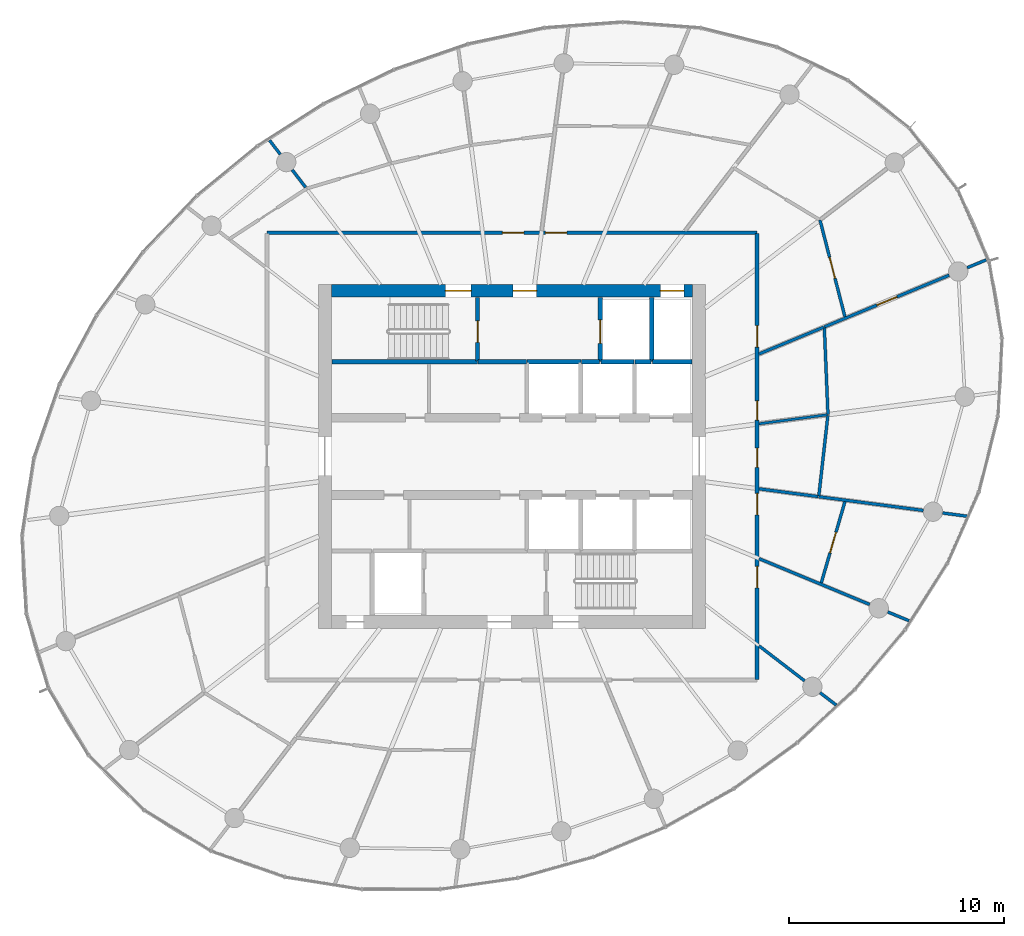
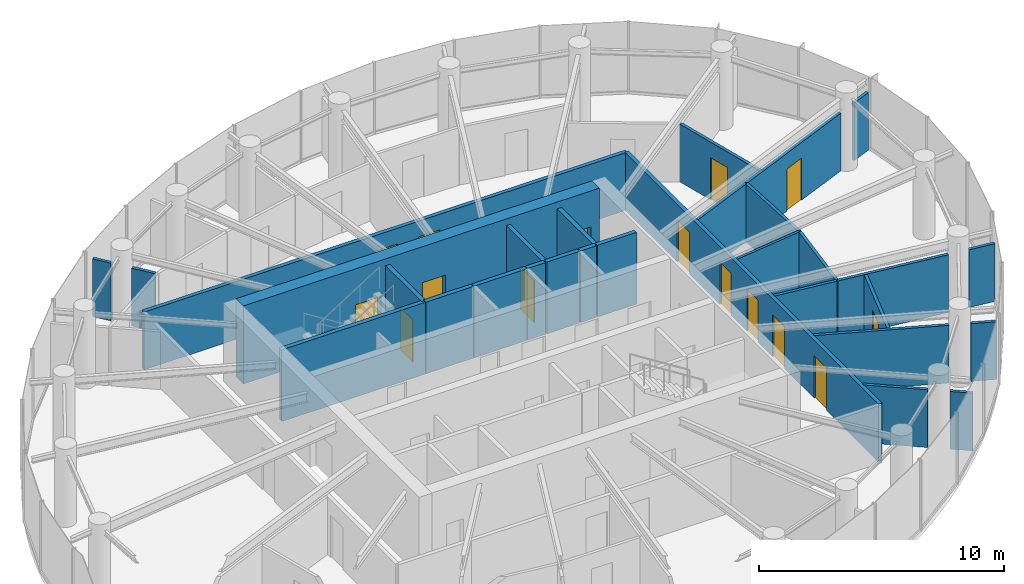
# One storey, part 11 of 14: 30 walls, 15 doors, 15 openings.
"""IFC4 building model written with IfcOpenShell, lengths in metres."""

from ifc_helpers import new_model, si_unit, direction, frame, frame_2d, origin, place, context, subcontext, project, spatial, rectangle, extrude, source, transform, mapped, material, layer, layer_set, type_object, element, fill, save


model = new_model("IFC4")

# Units and contexts
model_context = context("Model", 3, precision=1e-05, world=origin(), true_north=direction((0.0, 1.0)))
body_context = subcontext(model_context, "Body", "Model", "MODEL_VIEW")
ifc_project = project(units=[si_unit("LENGTHUNIT", "METRE"), si_unit("AREAUNIT", "SQUARE_METRE"), si_unit("VOLUMEUNIT", "CUBIC_METRE"), si_unit("PLANEANGLEUNIT", "RADIAN"), si_unit("MASSUNIT", "GRAM", prefix="KILO")], contexts=[model_context])

# Site, building, storey
site_placement = place(None, origin())
site = spatial("IfcSite", under=ifc_project, at=site_placement, CompositionType="ELEMENT")
building_placement = place(site_placement, origin())
building = spatial("IfcBuilding", under=site, at=building_placement, Name="Spindrift Exchange Tower", CompositionType="ELEMENT")
storey_placement = place(building_placement, frame((0.0, 0.0, 207.199951171875)))
storey = spatial("IfcBuildingStorey", under=building, at=storey_placement, Name="L50", CompositionType="ELEMENT", Elevation=207.199951171875)

# Wall, openings, doors
ifc_material_1 = material(Name="Concrete 50 MPa", Category="concrete")
ifc_layer_1 = layer(ifc_material_1, 0.60009765625)
ifc_layer_set_1 = layer_set([ifc_layer_1], Name="RC Core Wall 600 Concrete 50 MPa")
wall_type_1 = type_object("IfcWallType", Name="RC Core Wall 600 Concrete 50 MPa", PredefinedType="SHEAR", material=ifc_layer_set_1)
wall_1_placement = place(storey_placement, frame((60.39990234375, 55.699951171875, 0.0), z_axis=(0.0, 0.0, 1.0), x_axis=(-1.0, 0.0, 0.0)))
wall_1 = element("IfcWall", 1, at=wall_1_placement, inside=storey, type_object=wall_type_1, Name="Core wall N L50", PredefinedType="SHEAR", context=body_context, shape_type="SweptSolid", body=[
    extrude(rectangle(XDim=16.7998046875, YDim=0.60009765625, at=frame_2d((8.39990234375, 0.0))), origin(), (0.0, 0.0, 1.0), 3.900146484375),
])
opening_1_placement = place(wall_1_placement, frame((0.39990234375, 0.0, 0.0)))
opening_1 = element("IfcOpeningElement", 2, at=opening_1_placement, cuts=wall_1, Name="Opening L50-D11", PredefinedType="OPENING", context=body_context, shape_type="SweptSolid", body=[
    extrude(rectangle(XDim=1.10009765625, YDim=2.10009765625, at=frame_2d((0.550048828125, 1.050048828125))), frame((0.0, 0.31005859375, 0.0), z_axis=(0.0, -1.0, 0.0), x_axis=(1.0, 0.0, 0.0)), (0.0, 0.0, 1.0), 0.6201171875),
])
opening_2_placement = place(wall_1_placement, frame((10.300048828125, 0.0, 0.0)))
opening_2 = element("IfcOpeningElement", 3, at=opening_2_placement, cuts=wall_1, Name="Opening L50-D12", PredefinedType="OPENING", context=body_context, shape_type="SweptSolid", body=[
    extrude(rectangle(XDim=1.199951171875, YDim=2.10009765625, at=frame_2d((0.60009765625, 1.050048828125))), frame((0.0, 0.31005859375, 0.0), z_axis=(0.0, -1.0, 0.0), x_axis=(1.0, 0.0, 0.0)), (0.0, 0.0, 1.0), 0.6201171875),
])
opening_3_placement = place(wall_1_placement, frame((7.25, 0.0, 0.0)))
opening_3 = element("IfcOpeningElement", 4, at=opening_3_placement, cuts=wall_1, Name="Opening L50-D14", PredefinedType="OPENING", context=body_context, shape_type="SweptSolid", body=[
    extrude(rectangle(XDim=1.10009765625, YDim=2.10009765625, at=frame_2d((0.550048828125, 1.050048828125))), frame((0.0, 0.31005859375, 0.0), z_axis=(0.0, -1.0, 0.0), x_axis=(1.0, 0.0, 0.0)), (0.0, 0.0, 1.0), 0.6201171875),
])
ifc_material_2 = material(Name="Stainless steel landing door", Category="steel")
door_type_1 = type_object("IfcDoorType", Name="DR-LANDING-1100-SL", OperationType="DOUBLE_DOOR_SLIDING", PredefinedType="USERDEFINED", material=ifc_material_2)
shared_shape_1 = source(origin(), body_context, "Body", "SweptSolid", [
    extrude(rectangle(XDim=1.10009765625, YDim=2.10009765625, at=frame_2d((0.550048828125, 1.050048828125))), frame((0.0, 0.02490234375, 0.0), z_axis=(0.0, -1.0, 0.0), x_axis=(1.0, 0.0, 0.0)), (0.0, 0.0, 1.0), 0.050048828125),
])
door_1_placement = place(opening_1_placement, origin())
door_1 = element("IfcDoor", 5, at=door_1_placement, inside=storey, type_object=door_type_1, Name="L50 Lift landing door 11", ObjectType="LANDING DOOR", OperationType="DOUBLE_DOOR_SLIDING", OverallHeight=2.10009765625, OverallWidth=1.10009765625, PredefinedType="USERDEFINED", context=body_context, shape_type="MappedRepresentation", body=[
    mapped(shared_shape_1, transform((0.0, 0.0, 0.0), scale=1.0)),
])
fill(opening_1, door_1)
ifc_material_3 = material(Name="Steel fire door", Category="steel")
door_type_2 = type_object("IfcDoorType", Name="DR-STAIR-1200", OperationType="NOTDEFINED", PredefinedType="DOOR", material=ifc_material_3)
shared_shape_2 = source(origin(), body_context, "Body", "SweptSolid", [
    extrude(rectangle(XDim=1.199951171875, YDim=2.10009765625, at=frame_2d((0.60009765625, 1.050048828125))), frame((0.0, 0.02490234375, 0.0), z_axis=(0.0, -1.0, 0.0), x_axis=(1.0, 0.0, 0.0)), (0.0, 0.0, 1.0), 0.050048828125),
])
door_2_placement = place(opening_2_placement, origin())
door_2 = element("IfcDoor", 6, at=door_2_placement, inside=storey, type_object=door_type_2, Name="L50 Stair door 12", OperationType="SINGLE_SWING_LEFT", OverallHeight=2.10009765625, OverallWidth=1.199951171875, PredefinedType="DOOR", context=body_context, shape_type="MappedRepresentation", body=[
    mapped(shared_shape_2, transform((0.0, 0.0, 0.0), scale=1.0)),
])
fill(opening_2, door_2)
ifc_material_4 = material(Name="Timber-core fire door", Category="wood")
door_type_3 = type_object("IfcDoorType", Name="DR-LOBBY-1100", OperationType="NOTDEFINED", PredefinedType="DOOR", material=ifc_material_4)
shared_shape_3 = source(origin(), body_context, "Body", "SweptSolid", [
    extrude(rectangle(XDim=1.10009765625, YDim=2.10009765625, at=frame_2d((0.550048828125, 1.050048828125))), frame((0.0, 0.02490234375, 0.0), z_axis=(0.0, -1.0, 0.0), x_axis=(1.0, 0.0, 0.0)), (0.0, 0.0, 1.0), 0.050048828125),
])
door_3_placement = place(opening_3_placement, origin())
door_3 = element("IfcDoor", 7, at=door_3_placement, inside=storey, type_object=door_type_3, Name="L50 Lobby door 14", OperationType="SINGLE_SWING_LEFT", OverallHeight=2.10009765625, OverallWidth=1.10009765625, PredefinedType="DOOR", context=body_context, shape_type="MappedRepresentation", body=[
    mapped(shared_shape_3, transform((0.0, 0.0, 0.0), scale=1.0)),
])
fill(opening_3, door_3)

ifc_material_5 = material(Name="Fire-rated plasterboard partition", Category="gypsum")
ifc_layer_2 = layer(ifc_material_5, 0.179931640625)
ifc_layer_set_2 = layer_set([ifc_layer_2], Name="W-CORR-180")
wall_type_2 = type_object("IfcWallType", Name="W-CORR-180", PredefinedType="PARTITIONING", material=ifc_layer_set_2)
wall_2_placement = place(storey_placement, frame((40.60009765625, 58.39990234375, 0.0), z_axis=(0.0, 0.0, 1.0), x_axis=(1.0, 0.0, 0.0)))
wall_2 = element("IfcWall", 8, at=wall_2_placement, inside=storey, type_object=wall_type_2, Name="L50 Partition wall 27", PredefinedType="PARTITIONING", context=body_context, shape_type="SweptSolid", body=[
    extrude(rectangle(XDim=22.7998046875, YDim=0.179931640625, at=frame_2d((11.39990234375, 0.0))), origin(), (0.0, 0.0, 1.0), 2.880126953125),
])
opening_4_placement = place(wall_2_placement, frame((12.949951171875, 0.0, 0.0)))
opening_4 = element("IfcOpeningElement", 9, at=opening_4_placement, cuts=wall_2, Name="Opening L50-D25", PredefinedType="OPENING", context=body_context, shape_type="SweptSolid", body=[
    extrude(rectangle(XDim=1.0, YDim=2.10009765625, at=frame_2d((0.5, 1.050048828125))), frame((0.0, 0.099853515625, 0.0), z_axis=(0.0, -1.0, 0.0), x_axis=(1.0, 0.0, 0.0)), (0.0, 0.0, 1.0), 0.199951171875),
])
opening_5_placement = place(wall_2_placement, frame((10.949951171875, 0.0, 0.0)))
opening_5 = element("IfcOpeningElement", 10, at=opening_5_placement, cuts=wall_2, Name="Opening L50-D28", PredefinedType="OPENING", context=body_context, shape_type="SweptSolid", body=[
    extrude(rectangle(XDim=1.0, YDim=2.10009765625, at=frame_2d((0.5, 1.050048828125))), frame((0.0, 0.099853515625, 0.0), z_axis=(0.0, -1.0, 0.0), x_axis=(1.0, 0.0, 0.0)), (0.0, 0.0, 1.0), 0.199951171875),
])
door_type_4 = type_object("IfcDoorType", Name="DR-ROOM-1000", OperationType="NOTDEFINED", PredefinedType="DOOR", material=ifc_material_4)
shared_shape_4 = source(origin(), body_context, "Body", "SweptSolid", [
    extrude(rectangle(XDim=1.0, YDim=2.10009765625, at=frame_2d((0.5, 1.050048828125))), frame((0.0, 0.02490234375, 0.0), z_axis=(0.0, -1.0, 0.0), x_axis=(1.0, 0.0, 0.0)), (0.0, 0.0, 1.0), 0.050048828125),
])
door_4_placement = place(opening_4_placement, origin())
door_4 = element("IfcDoor", 11, at=door_4_placement, inside=storey, type_object=door_type_4, Name="L50 Door 25", OperationType="SINGLE_SWING_RIGHT", OverallHeight=2.10009765625, OverallWidth=1.0, PredefinedType="DOOR", context=body_context, shape_type="MappedRepresentation", body=[
    mapped(shared_shape_4, transform((0.0, 0.0, 0.0), scale=1.0)),
])
fill(opening_4, door_4)
door_5_placement = place(opening_5_placement, origin())
door_5 = element("IfcDoor", 12, at=door_5_placement, inside=storey, type_object=door_type_4, Name="L50 Door 28", OperationType="SINGLE_SWING_LEFT", OverallHeight=2.10009765625, OverallWidth=1.0, PredefinedType="DOOR", context=body_context, shape_type="MappedRepresentation", body=[
    mapped(shared_shape_4, transform((0.0, 0.0, 0.0), scale=1.0)),
])
fill(opening_5, door_5)

wall_3_placement = place(storey_placement, frame((63.39990234375, 58.3701171875, 0.0), z_axis=(0.0, 0.0, 1.0), x_axis=(0.0, -1.0, 0.0)))
wall_3 = element("IfcWall", 13, at=wall_3_placement, inside=storey, type_object=wall_type_2, Name="L50 Partition wall 29", PredefinedType="PARTITIONING", context=body_context, shape_type="SweptSolid", body=[
    extrude(rectangle(XDim=20.740234375, YDim=0.179931640625, at=frame_2d((10.3701171875, 0.0))), origin(), (0.0, 0.0, 1.0), 2.880126953125),
])
opening_6_placement = place(wall_3_placement, frame((9.989990234375, 0.0, 0.0)))
opening_6 = element("IfcOpeningElement", 14, at=opening_6_placement, cuts=wall_3, Name="Opening L50-D19", PredefinedType="OPENING", context=body_context, shape_type="SweptSolid", body=[
    extrude(rectangle(XDim=0.89990234375, YDim=2.10009765625, at=frame_2d((0.449951171875, 1.050048828125))), frame((0.0, 0.099853515625, 0.0), z_axis=(0.0, -1.0, 0.0), x_axis=(1.0, 0.0, 0.0)), (0.0, 0.0, 1.0), 0.199951171875),
])
opening_7_placement = place(wall_3_placement, frame((7.7900390625, 0.0, 0.0)))
opening_7 = element("IfcOpeningElement", 15, at=opening_7_placement, cuts=wall_3, Name="Opening L50-D20", PredefinedType="OPENING", context=body_context, shape_type="SweptSolid", body=[
    extrude(rectangle(XDim=0.89990234375, YDim=2.10009765625, at=frame_2d((0.449951171875, 1.050048828125))), frame((0.0, 0.099853515625, 0.0), z_axis=(0.0, -1.0, 0.0), x_axis=(1.0, 0.0, 0.0)), (0.0, 0.0, 1.0), 0.199951171875),
])
opening_8_placement = place(wall_3_placement, frame((4.2900390625, 0.0, 0.0)))
opening_8 = element("IfcOpeningElement", 16, at=opening_8_placement, cuts=wall_3, Name="Opening L50-D21", PredefinedType="OPENING", context=body_context, shape_type="SweptSolid", body=[
    extrude(rectangle(XDim=1.0, YDim=2.10009765625, at=frame_2d((0.5, 1.050048828125))), frame((0.0, 0.099853515625, 0.0), z_axis=(0.0, -1.0, 0.0), x_axis=(1.0, 0.0, 0.0)), (0.0, 0.0, 1.0), 0.199951171875),
])
opening_9_placement = place(wall_3_placement, frame((15.489990234375, 0.0, 0.0)))
opening_9 = element("IfcOpeningElement", 17, at=opening_9_placement, cuts=wall_3, Name="Opening L50-D42", PredefinedType="OPENING", context=body_context, shape_type="SweptSolid", body=[
    extrude(rectangle(XDim=1.0, YDim=2.10009765625, at=frame_2d((0.5, 1.050048828125))), frame((0.0, 0.099853515625, 0.0), z_axis=(0.0, -1.0, 0.0), x_axis=(1.0, 0.0, 0.0)), (0.0, 0.0, 1.0), 0.199951171875),
])
opening_10_placement = place(wall_3_placement, frame((12.090087890625, 0.0, 0.0)))
opening_10 = element("IfcOpeningElement", 18, at=opening_10_placement, cuts=wall_3, Name="Opening L50-D43", PredefinedType="OPENING", context=body_context, shape_type="SweptSolid", body=[
    extrude(rectangle(XDim=1.0, YDim=2.10009765625, at=frame_2d((0.5, 1.050048828125))), frame((0.0, 0.099853515625, 0.0), z_axis=(0.0, -1.0, 0.0), x_axis=(1.0, 0.0, 0.0)), (0.0, 0.0, 1.0), 0.199951171875),
])
door_6_placement = place(opening_8_placement, origin())
door_6 = element("IfcDoor", 19, at=door_6_placement, inside=storey, type_object=door_type_4, Name="L50 Door 21", OperationType="SINGLE_SWING_RIGHT", OverallHeight=2.10009765625, OverallWidth=1.0, PredefinedType="DOOR", context=body_context, shape_type="MappedRepresentation", body=[
    mapped(shared_shape_4, transform((0.0, 0.0, 0.0), scale=1.0)),
])
fill(opening_8, door_6)
door_7_placement = place(opening_9_placement, origin())
door_7 = element("IfcDoor", 20, at=door_7_placement, inside=storey, type_object=door_type_4, Name="L50 Door 42", OperationType="SINGLE_SWING_LEFT", OverallHeight=2.10009765625, OverallWidth=1.0, PredefinedType="DOOR", context=body_context, shape_type="MappedRepresentation", body=[
    mapped(shared_shape_4, transform((0.0, 0.0, 0.0), scale=1.0)),
])
fill(opening_9, door_7)
door_8_placement = place(opening_10_placement, origin())
door_8 = element("IfcDoor", 21, at=door_8_placement, inside=storey, type_object=door_type_4, Name="L50 Door 43", OperationType="SINGLE_SWING_RIGHT", OverallHeight=2.10009765625, OverallWidth=1.0, PredefinedType="DOOR", context=body_context, shape_type="MappedRepresentation", body=[
    mapped(shared_shape_4, transform((0.0, 0.0, 0.0), scale=1.0)),
])
fill(opening_10, door_8)
ifc_material_6 = material(Name="Laminate washroom door", Category="wood")
door_type_5 = type_object("IfcDoorType", Name="DR-WC-900", OperationType="NOTDEFINED", PredefinedType="DOOR", material=ifc_material_6)
shared_shape_5 = source(origin(), body_context, "Body", "SweptSolid", [
    extrude(rectangle(XDim=0.89990234375, YDim=2.10009765625, at=frame_2d((0.449951171875, 1.050048828125))), frame((0.0, 0.02490234375, 0.0), z_axis=(0.0, -1.0, 0.0), x_axis=(1.0, 0.0, 0.0)), (0.0, 0.0, 1.0), 0.050048828125),
])
door_9_placement = place(opening_6_placement, origin())
door_9 = element("IfcDoor", 22, at=door_9_placement, inside=storey, type_object=door_type_5, Name="L50 WC door 19", OperationType="SINGLE_SWING_RIGHT", OverallHeight=2.10009765625, OverallWidth=0.89990234375, PredefinedType="DOOR", context=body_context, shape_type="MappedRepresentation", body=[
    mapped(shared_shape_5, transform((0.0, 0.0, 0.0), scale=1.0)),
])
fill(opening_6, door_9)
door_10_placement = place(opening_7_placement, origin())
door_10 = element("IfcDoor", 23, at=door_10_placement, inside=storey, type_object=door_type_5, Name="L50 WC door 20", OperationType="SINGLE_SWING_LEFT", OverallHeight=2.10009765625, OverallWidth=0.89990234375, PredefinedType="DOOR", context=body_context, shape_type="MappedRepresentation", body=[
    mapped(shared_shape_5, transform((0.0, 0.0, 0.0), scale=1.0)),
])
fill(opening_7, door_10)

# Wall, opening, door
ifc_layer_3 = layer(ifc_material_5, 0.139892578125)
ifc_layer_set_3 = layer_set([ifc_layer_3], Name="W-PART-140")
wall_type_3 = type_object("IfcWallType", Name="W-PART-140", PredefinedType="PARTITIONING", material=ifc_layer_set_3)
wall_4_placement = place(storey_placement, frame((72.332763671875, 56.422119140625, 0.0), z_axis=(0.0, 0.0, 1.0), x_axis=(-0.92388853292, -0.382661702733, 0.0)))
wall_4 = element("IfcWall", 24, at=wall_4_placement, inside=storey, type_object=wall_type_3, Name="L50 Partition wall 31", PredefinedType="PARTITIONING", context=body_context, shape_type="SweptSolid", body=[
    extrude(rectangle(XDim=6.284912109375, YDim=0.139892578125, at=frame_2d((3.142578125, 0.0))), origin(), (0.0, 0.0, 1.0), 2.880126953125),
])
opening_11_placement = place(wall_4_placement, frame((2.635009765625, 0.0, 0.0)))
opening_11 = element("IfcOpeningElement", 25, at=opening_11_placement, cuts=wall_4, Name="Opening L50-D24", PredefinedType="OPENING", context=body_context, shape_type="SweptSolid", body=[
    extrude(rectangle(XDim=1.0, YDim=2.10009765625, at=frame_2d((0.5, 1.050048828125))), frame((0.0, 0.079833984375, 0.0), z_axis=(0.0, -1.0, 0.0), x_axis=(1.0, 0.0, 0.0)), (0.0, 0.0, 1.0), 0.159912109375),
])
door_11_placement = place(opening_11_placement, origin())
door_11 = element("IfcDoor", 26, at=door_11_placement, inside=storey, type_object=door_type_4, Name="L50 Door 24", OperationType="SINGLE_SWING_LEFT", OverallHeight=2.10009765625, OverallWidth=1.0, PredefinedType="DOOR", context=body_context, shape_type="MappedRepresentation", body=[
    mapped(shared_shape_4, transform((0.0, 0.0, 0.0), scale=1.0)),
])
fill(opening_11, door_11)

# Walls
wall_5_placement = place(storey_placement, frame((68.638916015625, 41.10791015625, 0.0), z_axis=(0.0, 0.0, 1.0), x_axis=(-0.9238758778, 0.382692255499, 0.0)))
element("IfcWall", 27, at=wall_5_placement, inside=storey, type_object=wall_type_3, Name="L50 Partition wall 32", PredefinedType="PARTITIONING", context=body_context, shape_type="SweptSolid", body=[
    extrude(rectangle(XDim=5.5732421875, YDim=0.139892578125, at=frame_2d((2.78662109375, 0.0))), origin(), (0.0, 0.0, 1.0), 2.880126953125),
])
wall_6_placement = place(storey_placement, frame((66.26708984375, 46.12158203125, 0.0), z_axis=(0.0, 0.0, 1.0), x_axis=(0.991448195842, -0.130500861923, 0.0)))
element("IfcWall", 28, at=wall_6_placement, inside=storey, type_object=wall_type_3, Name="L50 Partition wall 36", PredefinedType="PARTITIONING", context=body_context, shape_type="SweptSolid", body=[
    extrude(rectangle(XDim=4.9052734375, YDim=0.139892578125, at=frame_2d((2.45263671875, 0.0))), origin(), (0.0, 0.0, 1.0), 2.880126953125),
])

# Wall, opening, door
wall_7_placement = place(storey_placement, frame((66.32421875, 58.991455078125, 0.0), z_axis=(0.0, 0.0, 1.0), x_axis=(0.249819251726, -0.968292487561, 0.0)))
wall_7 = element("IfcWall", 29, at=wall_7_placement, inside=storey, type_object=wall_type_3, Name="L50 Partition wall 39", PredefinedType="PARTITIONING", context=body_context, shape_type="SweptSolid", body=[
    extrude(rectangle(XDim=4.64892578125, YDim=0.139892578125, at=frame_2d((2.324462890625, 0.0))), origin(), (0.0, 0.0, 1.0), 2.880126953125),
])
opening_12_placement = place(wall_7_placement, frame((1.798583984375, 0.0, 0.0)))
opening_12 = element("IfcOpeningElement", 30, at=opening_12_placement, cuts=wall_7, Name="Opening L50-D22", PredefinedType="OPENING", context=body_context, shape_type="SweptSolid", body=[
    extrude(rectangle(XDim=1.0, YDim=2.10009765625, at=frame_2d((0.5, 1.050048828125))), frame((0.0, 0.079833984375, 0.0), z_axis=(0.0, -1.0, 0.0), x_axis=(1.0, 0.0, 0.0)), (0.0, 0.0, 1.0), 0.159912109375),
])
door_12_placement = place(opening_12_placement, origin())
door_12 = element("IfcDoor", 31, at=door_12_placement, inside=storey, type_object=door_type_4, Name="L50 Door 22", OperationType="SINGLE_SWING_LEFT", OverallHeight=2.10009765625, OverallWidth=1.0, PredefinedType="DOOR", context=body_context, shape_type="MappedRepresentation", body=[
    mapped(shared_shape_4, transform((0.0, 0.0, 0.0), scale=1.0)),
])
fill(opening_12, door_12)

# Wall
wall_8_placement = place(storey_placement, frame((66.696044921875, 49.934814453125, 0.0), z_axis=(0.0, 0.0, 1.0), x_axis=(-0.041535399008, 0.999137032959, 0.0)))
element("IfcWall", 32, at=wall_8_placement, inside=storey, type_object=wall_type_3, Name="L50 Partition wall 48", PredefinedType="PARTITIONING", context=body_context, shape_type="SweptSolid", body=[
    extrude(rectangle(XDim=4.0556640625, YDim=0.139892578125, at=frame_2d((2.02783203125, 0.0))), origin(), (0.0, 0.0, 1.0), 2.880126953125),
])

# Wall, opening, door
wall_9_placement = place(storey_placement, frame((67.484375, 45.890869140625, 0.0), z_axis=(0.0, 0.0, 1.0), x_axis=(-0.279262901939, -0.960214679955, 0.0)))
wall_9 = element("IfcWall", 33, at=wall_9_placement, inside=storey, type_object=wall_type_3, Name="L50 Partition wall 50", PredefinedType="PARTITIONING", context=body_context, shape_type="SweptSolid", body=[
    extrude(rectangle(XDim=3.9306640625, YDim=0.139892578125, at=frame_2d((1.96533203125, 0.0))), origin(), (0.0, 0.0, 1.0), 2.880126953125),
])
opening_13_placement = place(wall_9_placement, frame((1.480712890625, 0.0, 0.0)))
opening_13 = element("IfcOpeningElement", 34, at=opening_13_placement, cuts=wall_9, Name="Opening L50-D44", PredefinedType="OPENING", context=body_context, shape_type="SweptSolid", body=[
    extrude(rectangle(XDim=1.0, YDim=2.10009765625, at=frame_2d((0.5, 1.050048828125))), frame((0.0, 0.079833984375, 0.0), z_axis=(0.0, -1.0, 0.0), x_axis=(1.0, 0.0, 0.0)), (0.0, 0.0, 1.0), 0.159912109375),
])
door_13_placement = place(opening_13_placement, origin())
door_13 = element("IfcDoor", 35, at=door_13_placement, inside=storey, type_object=door_type_4, Name="L50 Door 44", OperationType="SINGLE_SWING_LEFT", OverallHeight=2.10009765625, OverallWidth=1.0, PredefinedType="DOOR", context=body_context, shape_type="MappedRepresentation", body=[
    mapped(shared_shape_4, transform((0.0, 0.0, 0.0), scale=1.0)),
])
fill(opening_13, door_13)

# Walls
wall_10_placement = place(storey_placement, frame((66.2705078125, 46.151611328125, 0.0), z_axis=(0.0, 0.0, 1.0), x_axis=(0.111758070994, 0.993735444456, 0.0)))
element("IfcWall", 36, at=wall_10_placement, inside=storey, type_object=wall_type_3, Name="L50 Partition wall 55", PredefinedType="PARTITIONING", context=body_context, shape_type="SweptSolid", body=[
    extrude(rectangle(XDim=3.777099609375, YDim=0.139892578125, at=frame_2d((1.888671875, 0.0))), origin(), (0.0, 0.0, 1.0), 2.880126953125),
])
wall_11_placement = place(storey_placement, frame((63.489990234375, 52.75927734375, 0.0), z_axis=(0.0, 0.0, 1.0), x_axis=(0.923862401464, 0.382724787753, 0.0)))
element("IfcWall", 37, at=wall_11_placement, inside=storey, type_object=wall_type_3, Name="L50 Partition wall 63", PredefinedType="PARTITIONING", context=body_context, shape_type="SweptSolid", body=[
    extrude(rectangle(XDim=3.256591796875, YDim=0.139892578125, at=frame_2d((1.62841796875, 0.0))), origin(), (0.0, 0.0, 1.0), 2.880126953125),
])
wall_12_placement = place(storey_placement, frame((63.489990234375, 46.4873046875, 0.0), z_axis=(0.0, 0.0, 1.0), x_axis=(0.991438994906, -0.13057074473, 0.0)))
element("IfcWall", 38, at=wall_12_placement, inside=storey, type_object=wall_type_3, Name="L50 Partition wall 65", PredefinedType="PARTITIONING", context=body_context, shape_type="SweptSolid", body=[
    extrude(rectangle(XDim=2.77099609375, YDim=0.139892578125, at=frame_2d((1.385498046875, 0.0))), origin(), (0.0, 0.0, 1.0), 2.880126953125),
])
wall_13_placement = place(storey_placement, frame((63.489990234375, 39.183349609375, 0.0), z_axis=(0.0, 0.0, 1.0), x_axis=(0.793363703091, -0.608747923707, 0.0)))
element("IfcWall", 39, at=wall_13_placement, inside=storey, type_object=wall_type_3, Name="L50 Partition wall 67", PredefinedType="PARTITIONING", context=body_context, shape_type="SweptSolid", body=[
    extrude(rectangle(XDim=2.672607421875, YDim=0.139892578125, at=frame_2d((1.33642578125, 0.0))), origin(), (0.0, 0.0, 1.0), 2.880126953125),
])
wall_14_placement = place(storey_placement, frame((72.031494140625, 45.36279296875, 0.0), z_axis=(0.0, 0.0, 1.0), x_axis=(0.99143621724, -0.130591834141, 0.0)))
element("IfcWall", 40, at=wall_14_placement, inside=storey, type_object=wall_type_3, Name="L50 Partition wall 81", PredefinedType="PARTITIONING", context=body_context, shape_type="SweptSolid", body=[
    extrude(rectangle(XDim=1.149658203125, YDim=0.139892578125, at=frame_2d((0.57470703125, 0.0))), origin(), (0.0, 0.0, 1.0), 2.880126953125),
])
wall_15_placement = place(storey_placement, frame((42.4033203125, 60.506591796875, 0.0), z_axis=(0.0, 0.0, 1.0), x_axis=(-0.608700642645, 0.793399979609, 0.0)))
element("IfcWall", 41, at=wall_15_placement, inside=storey, type_object=wall_type_3, Name="L50 Partition wall 82", PredefinedType="PARTITIONING", context=body_context, shape_type="SweptSolid", body=[
    extrude(rectangle(XDim=1.0283203125, YDim=0.139892578125, at=frame_2d((0.51416015625, 0.0))), origin(), (0.0, 0.0, 1.0), 2.880126953125),
])
wall_16_placement = place(storey_placement, frame((70.46435546875, 40.351806640625, 0.0), z_axis=(0.0, 0.0, 1.0), x_axis=(-0.923921911664, 0.382581104012, 0.0)))
element("IfcWall", 42, at=wall_16_placement, inside=storey, type_object=wall_type_3, Name="L50 Partition wall 83", PredefinedType="PARTITIONING", context=body_context, shape_type="SweptSolid", body=[
    extrude(rectangle(XDim=1.065673828125, YDim=0.139892578125, at=frame_2d((0.53271484375, 0.0))), origin(), (0.0, 0.0, 1.0), 2.880126953125),
])
wall_17_placement = place(storey_placement, frame((73.173583984375, 56.770263671875, 0.0), z_axis=(0.0, 0.0, 1.0), x_axis=(0.923779659408, 0.38292445843, 0.0)))
element("IfcWall", 43, at=wall_17_placement, inside=storey, type_object=wall_type_3, Name="L50 Partition wall 88", PredefinedType="PARTITIONING", context=body_context, shape_type="SweptSolid", body=[
    extrude(rectangle(XDim=0.953857421875, YDim=0.139892578125, at=frame_2d((0.47705078125, 0.0))), origin(), (0.0, 0.0, 1.0), 2.880126953125),
])
wall_18_placement = place(storey_placement, frame((66.33154296875, 37.0029296875, 0.0), z_axis=(0.0, 0.0, 1.0), x_axis=(0.793344167197, -0.608773383431, 0.0)))
element("IfcWall", 44, at=wall_18_placement, inside=storey, type_object=wall_type_3, Name="L50 Partition wall 90", PredefinedType="PARTITIONING", context=body_context, shape_type="SweptSolid", body=[
    extrude(rectangle(XDim=0.9443359375, YDim=0.139892578125, at=frame_2d((0.47216796875, 0.0))), origin(), (0.0, 0.0, 1.0), 2.880126953125),
])
wall_19_placement = place(storey_placement, frame((41.22412109375, 62.043701171875, 0.0), z_axis=(0.0, 0.0, 1.0), x_axis=(-0.608936045201, 0.793219322038, 0.0)))
element("IfcWall", 45, at=wall_19_placement, inside=storey, type_object=wall_type_3, Name="L50 Partition wall 93", PredefinedType="PARTITIONING", context=body_context, shape_type="SweptSolid", body=[
    extrude(rectangle(XDim=0.82275390625, YDim=0.139892578125, at=frame_2d((0.411376953125, 0.0))), origin(), (0.0, 0.0, 1.0), 2.880126953125),
])

# Wall, opening, door
ifc_material_7 = material(Name="Concrete 40 MPa", Category="concrete")
ifc_layer_4 = layer(ifc_material_7, 0.199951171875)
ifc_layer_set_4 = layer_set([ifc_layer_4], Name="W-SHAFT-200")
wall_type_4 = type_object("IfcWallType", Name="W-SHAFT-200", PredefinedType="SOLIDWALL", material=ifc_layer_set_4)
wall_20_placement = place(storey_placement, frame((56.10009765625, 55.3798828125, 0.0), z_axis=(0.0, 0.0, 1.0), x_axis=(0.0, -1.0, 0.0)))
wall_20 = element("IfcWall", 46, at=wall_20_placement, inside=storey, type_object=wall_type_4, Name="L50 Shaft wall 7", PredefinedType="SOLIDWALL", context=body_context, shape_type="SweptSolid", body=[
    extrude(rectangle(XDim=2.97998046875, YDim=0.199951171875, at=frame_2d((1.489990234375, 0.0))), origin(), (0.0, 0.0, 1.0), 3.580078125),
])
opening_14_placement = place(wall_20_placement, frame((1.030029296875, 0.0, 0.0)))
opening_14 = element("IfcOpeningElement", 47, at=opening_14_placement, cuts=wall_20, Name="Opening L50-D9", PredefinedType="OPENING", context=body_context, shape_type="SweptSolid", body=[
    extrude(rectangle(XDim=1.10009765625, YDim=2.10009765625, at=frame_2d((0.550048828125, 1.050048828125))), frame((0.0, 0.10986328125, 0.0), z_axis=(0.0, -1.0, 0.0), x_axis=(1.0, 0.0, 0.0)), (0.0, 0.0, 1.0), 0.219970703125),
])
door_14_placement = place(opening_14_placement, origin())
door_14 = element("IfcDoor", 48, at=door_14_placement, inside=storey, type_object=door_type_1, Name="L50 Lift landing door 9", ObjectType="LANDING DOOR", OperationType="DOUBLE_DOOR_SLIDING", OverallHeight=2.10009765625, OverallWidth=1.10009765625, PredefinedType="USERDEFINED", context=body_context, shape_type="MappedRepresentation", body=[
    mapped(shared_shape_1, transform((0.0, 0.0, 0.0), scale=1.0)),
])
fill(opening_14, door_14)

# Walls
wall_21_placement = place(storey_placement, frame((58.5, 52.39990234375, 0.0), z_axis=(0.0, 0.0, 1.0), x_axis=(0.0, 1.0, 0.0)))
element("IfcWall", 49, at=wall_21_placement, inside=storey, type_object=wall_type_4, Name="L50 Shaft wall 8", PredefinedType="SOLIDWALL", context=body_context, shape_type="SweptSolid", body=[
    extrude(rectangle(XDim=2.97998046875, YDim=0.199951171875, at=frame_2d((1.489990234375, 0.0))), origin(), (0.0, 0.0, 1.0), 3.580078125),
])
wall_22_placement = place(storey_placement, frame((55.199951171875, 52.39990234375, 0.0), z_axis=(0.0, 0.0, 1.0), x_axis=(-1.0, 0.0, 0.0)))
element("IfcWall", 50, at=wall_22_placement, inside=storey, type_object=wall_type_4, Name="L50 Shaft wall 10", PredefinedType="SOLIDWALL", context=body_context, shape_type="SweptSolid", body=[
    extrude(rectangle(XDim=2.5, YDim=0.199951171875, at=frame_2d((1.25, 0.0))), origin(), (0.0, 0.0, 1.0), 3.580078125),
])
wall_23_placement = place(storey_placement, frame((60.3798828125, 52.39990234375, 0.0), z_axis=(0.0, 0.0, 1.0), x_axis=(-1.0, 0.0, 0.0)))
element("IfcWall", 51, at=wall_23_placement, inside=storey, type_object=wall_type_4, Name="L50 Shaft wall 21", PredefinedType="SOLIDWALL", context=body_context, shape_type="SweptSolid", body=[
    extrude(rectangle(XDim=1.849853515625, YDim=0.199951171875, at=frame_2d((0.9248046875, 0.0))), origin(), (0.0, 0.0, 1.0), 3.580078125),
])
wall_24_placement = place(storey_placement, frame((57.669921875, 52.39990234375, 0.0), z_axis=(0.0, 0.0, 1.0), x_axis=(-1.0, 0.0, 0.0)))
element("IfcWall", 52, at=wall_24_placement, inside=storey, type_object=wall_type_4, Name="L50 Shaft wall 23", PredefinedType="SOLIDWALL", context=body_context, shape_type="SweptSolid", body=[
    extrude(rectangle(XDim=1.5400390625, YDim=0.199951171875, at=frame_2d((0.77001953125, 0.0))), origin(), (0.0, 0.0, 1.0), 3.580078125),
])
wall_25_placement = place(storey_placement, frame((56.070068359375, 52.39990234375, 0.0), z_axis=(0.0, 0.0, 1.0), x_axis=(-1.0, 0.0, 0.0)))
element("IfcWall", 53, at=wall_25_placement, inside=storey, type_object=wall_type_4, Name="L50 Shaft wall 25", PredefinedType="SOLIDWALL", context=body_context, shape_type="SweptSolid", body=[
    extrude(rectangle(XDim=0.840087890625, YDim=0.199951171875, at=frame_2d((0.419921875, 0.0))), origin(), (0.0, 0.0, 1.0), 3.580078125),
])
wall_26_placement = place(storey_placement, frame((58.469970703125, 52.39990234375, 0.0), z_axis=(0.0, 0.0, 1.0), x_axis=(-1.0, 0.0, 0.0)))
element("IfcWall", 54, at=wall_26_placement, inside=storey, type_object=wall_type_4, Name="L50 Shaft wall 26", PredefinedType="SOLIDWALL", context=body_context, shape_type="SweptSolid", body=[
    extrude(rectangle(XDim=0.739990234375, YDim=0.199951171875, at=frame_2d((0.3701171875, 0.0))), origin(), (0.0, 0.0, 1.0), 3.580078125),
])
ifc_layer_5 = layer(ifc_material_7, 0.199951171875)
ifc_layer_set_5 = layer_set([ifc_layer_5], Name="W-SHAFT-200-LB")
wall_type_5 = type_object("IfcWallType", Name="W-SHAFT-200-LB", PredefinedType="SOLIDWALL", material=ifc_layer_set_5)
wall_27_placement = place(storey_placement, frame((43.6201171875, 52.39990234375, 0.0), z_axis=(0.0, 0.0, 1.0), x_axis=(1.0, 0.0, 0.0)))
element("IfcWall", 55, at=wall_27_placement, inside=storey, type_object=wall_type_5, Name="L50 Shaft wall 1", PredefinedType="SOLIDWALL", context=body_context, shape_type="SweptSolid", body=[
    extrude(rectangle(XDim=6.77978515625, YDim=0.199951171875, at=frame_2d((3.389892578125, 0.0))), origin(), (0.0, 0.0, 1.0), 3.580078125),
])

# Wall, opening, door
wall_28_placement = place(storey_placement, frame((50.39990234375, 52.429931640625, 0.0), z_axis=(0.0, 0.0, 1.0), x_axis=(0.0, 1.0, 0.0)))
wall_28 = element("IfcWall", 56, at=wall_28_placement, inside=storey, type_object=wall_type_5, Name="L50 Shaft wall 5", PredefinedType="SOLIDWALL", context=body_context, shape_type="SweptSolid", body=[
    extrude(rectangle(XDim=2.949951171875, YDim=0.199951171875, at=frame_2d((1.47509765625, 0.0))), origin(), (0.0, 0.0, 1.0), 3.580078125),
])
opening_15_placement = place(wall_28_placement, frame((0.8701171875, 0.0, 0.0)))
opening_15 = element("IfcOpeningElement", 57, at=opening_15_placement, cuts=wall_28, Name="Opening L50-D13", PredefinedType="OPENING", context=body_context, shape_type="SweptSolid", body=[
    extrude(rectangle(XDim=1.0, YDim=2.10009765625, at=frame_2d((0.5, 1.050048828125))), frame((0.0, 0.10986328125, 0.0), z_axis=(0.0, -1.0, 0.0), x_axis=(1.0, 0.0, 0.0)), (0.0, 0.0, 1.0), 0.219970703125),
])
door_type_6 = type_object("IfcDoorType", Name="DR-STAIR-1000", OperationType="NOTDEFINED", PredefinedType="DOOR", material=ifc_material_3)
shared_shape_6 = source(origin(), body_context, "Body", "SweptSolid", [
    extrude(rectangle(XDim=1.0, YDim=2.10009765625, at=frame_2d((0.5, 1.050048828125))), frame((0.0, 0.02490234375, 0.0), z_axis=(0.0, -1.0, 0.0), x_axis=(1.0, 0.0, 0.0)), (0.0, 0.0, 1.0), 0.050048828125),
])
door_15_placement = place(opening_15_placement, origin())
door_15 = element("IfcDoor", 58, at=door_15_placement, inside=storey, type_object=door_type_6, Name="L50 Stair door 13", OperationType="SINGLE_SWING_RIGHT", OverallHeight=2.10009765625, OverallWidth=1.0, PredefinedType="DOOR", context=body_context, shape_type="MappedRepresentation", body=[
    mapped(shared_shape_6, transform((0.0, 0.0, 0.0), scale=1.0)),
])
fill(opening_15, door_15)

# Walls
wall_29_placement = place(storey_placement, frame((50.429931640625, 52.39990234375, 0.0), z_axis=(0.0, 0.0, 1.0), x_axis=(1.0, 0.0, 0.0)))
element("IfcWall", 59, at=wall_29_placement, inside=storey, type_object=wall_type_5, Name="L50 Shaft wall 19", PredefinedType="SOLIDWALL", context=body_context, shape_type="SweptSolid", body=[
    extrude(rectangle(XDim=2.239990234375, YDim=0.199951171875, at=frame_2d((1.1201171875, 0.0))), origin(), (0.0, 0.0, 1.0), 3.580078125),
])
ifc_layer_6 = layer(ifc_material_5, 0.1201171875)
ifc_layer_set_6 = layer_set([ifc_layer_6], Name="W-WET-120")
wall_type_6 = type_object("IfcWallType", Name="W-WET-120", PredefinedType="PARTITIONING", material=ifc_layer_set_6)
wall_30_placement = place(storey_placement, frame((63.489990234375, 49.5126953125, 0.0), z_axis=(0.0, 0.0, 1.0), x_axis=(0.991442878973, 0.130541249168, 0.0)))
element("IfcWall", 60, at=wall_30_placement, inside=storey, type_object=wall_type_6, Name="L50 Partition wall 94", PredefinedType="PARTITIONING", context=body_context, shape_type="SweptSolid", body=[
    extrude(rectangle(XDim=3.20361328125, YDim=0.1201171875, at=frame_2d((1.601806640625, 0.0))), origin(), (0.0, 0.0, 1.0), 2.880126953125),
])

save(model, "model.ifc")
